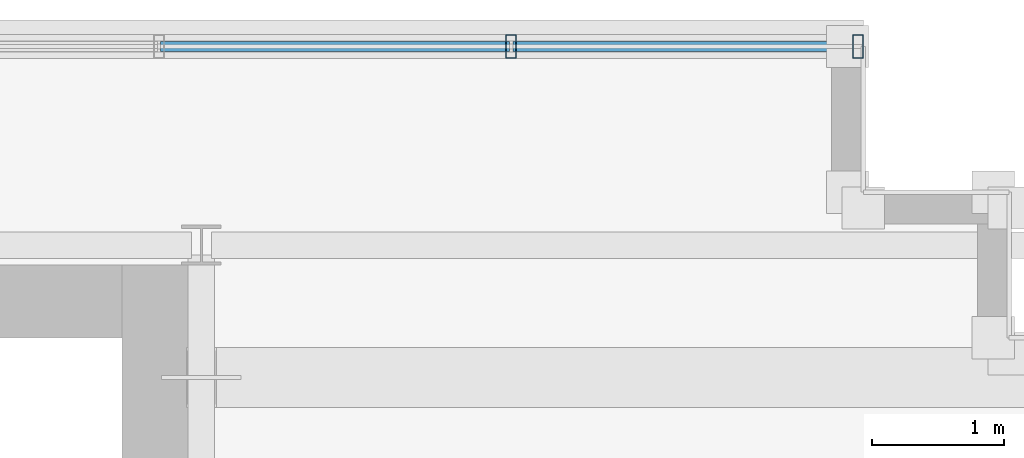
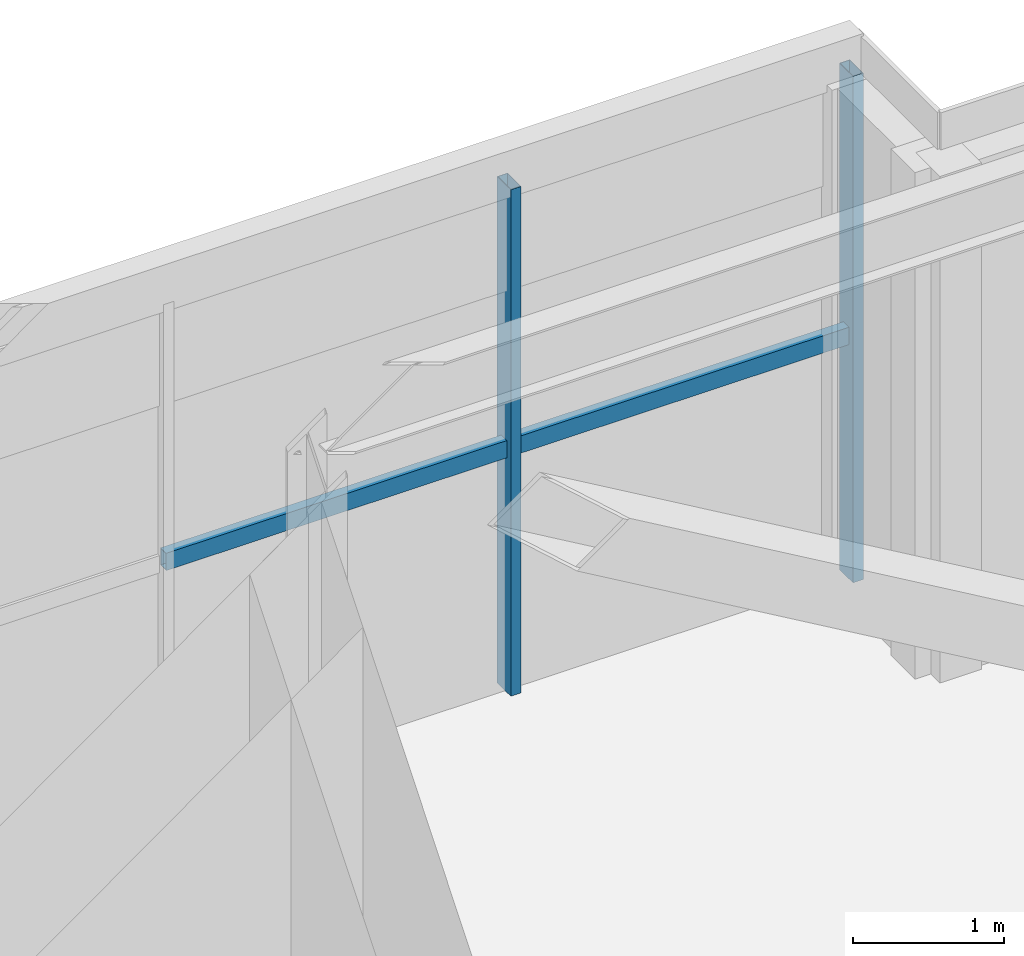
# One storey, part 26 of 37: 4 members, 1 element without a shape of its own.
"""IFC4 building model written with IfcOpenShell, lengths in metres."""

from ifc_helpers import new_model, si_unit, direction, frame, origin, origin_2d, place, context, subcontext, project, spatial, hollow_rectangle, extrude, source, transform, mapped, material, material_profile, profile_set, type_object, element, aggregate, save


model = new_model("IFC4")

# Units and contexts
model_context = context("Model", 3, precision=1e-05, world=origin(), true_north=direction((0.0, 1.0)))
body_context = subcontext(model_context, "Body", "Model", "MODEL_VIEW")
ifc_project = project(units=[si_unit("LENGTHUNIT", "METRE"), si_unit("AREAUNIT", "SQUARE_METRE"), si_unit("VOLUMEUNIT", "CUBIC_METRE"), si_unit("PLANEANGLEUNIT", "RADIAN"), si_unit("MASSUNIT", "GRAM", prefix="KILO")], contexts=[model_context])

# Site, building, storey
site_placement = place(None, origin())
site = spatial("IfcSite", under=ifc_project, at=site_placement, CompositionType="ELEMENT")
building_placement = place(site_placement, origin())
building = spatial("IfcBuilding", under=site, at=building_placement, Name="Trelvane Seafront Commons", CompositionType="ELEMENT")
storey_placement = place(building_placement, frame((0.0, 0.0, 303.5)))
storey = spatial("IfcBuildingStorey", under=building, at=storey_placement, Name="L79", CompositionType="ELEMENT", Elevation=303.5)

# Curtain wall, members
ifc_material = material(Name="Anodised pale-silver aluminium", Category="aluminium")
curtain_wall_type = type_object("IfcCurtainWallType", Name="ARCH-CW6-CROWN", PredefinedType="NOTDEFINED", material=ifc_material)
curtain_wall_placement = place(storey_placement, origin())
curtain_wall = element("IfcCurtainWall", 1, at=curtain_wall_placement, inside=storey, type_object=curtain_wall_type, Name="CW-L79-0129", PredefinedType="NOTDEFINED")
ifc_material_profile_1 = material_profile(ifc_material, hollow_rectangle(XDim=0.074951171875, YDim=0.139892578125, WallThickness=0.00390625, at=origin_2d()), Name="TRAN-75x140x4")
ifc_profile_set_1 = profile_set([ifc_material_profile_1], Name="Anodised pale-silver aluminium")
member_type_1 = type_object("IfcMemberType", Name="ARCH-CW-TRAN-140", PredefinedType="USERDEFINED", material=ifc_profile_set_1)
shared_shape_1 = source(origin(), body_context, "Body", "SweptSolid", [
    extrude(hollow_rectangle(XDim=0.074951171875, YDim=0.139892578125, WallThickness=0.00390625, at=origin_2d()), origin(), (0.0, 0.0, 1.0), 2.635986328125),
])
member_1_placement = place(storey_placement, frame((58.491943359375, 46.60009765625, 1.968017578125), z_axis=(1.0, 0.0, 0.0), x_axis=(0.0, 1.0, 0.0)))
member_1 = element("IfcMember", 2, at=member_1_placement, type_object=member_type_1, Name="CW-L79-0129-T18", ObjectType="TRANSOM", PredefinedType="USERDEFINED", context=body_context, shape_type="MappedRepresentation", body=[
    mapped(shared_shape_1, transform((0.0, 0.0, 0.0), x_axis=(1.0, 0.0, 0.0), y_axis=(0.0, 1.0, 0.0), z_axis=(0.0, 0.0, 1.0), scale=1.0)),
])
member_2_placement = place(storey_placement, frame((61.152099609375, 46.60009765625, 1.968017578125), z_axis=(1.0, 0.0, 0.0), x_axis=(0.0, 1.0, 0.0)))
member_2 = element("IfcMember", 3, at=member_2_placement, type_object=member_type_1, Name="CW-L79-0129-T19", ObjectType="TRANSOM", PredefinedType="USERDEFINED", context=body_context, shape_type="MappedRepresentation", body=[
    mapped(shared_shape_1, transform((0.0, 0.0, 0.0), x_axis=(1.0, 0.0, 0.0), y_axis=(0.0, 1.0, 0.0), z_axis=(0.0, 0.0, 1.0), scale=1.0)),
])
ifc_material_profile_2 = material_profile(ifc_material, hollow_rectangle(XDim=0.080078125, YDim=0.179931640625, WallThickness=0.00439453125, at=origin_2d()), Name="MULL-80x180x4.5")
ifc_profile_set_2 = profile_set([ifc_material_profile_2], Name="Anodised pale-silver aluminium")
member_type_2 = type_object("IfcMemberType", Name="ARCH-CW-MULL-180", PredefinedType="MULLION", material=ifc_profile_set_2)
shared_shape_2 = source(origin(), body_context, "Body", "SweptSolid", [
    extrude(hollow_rectangle(XDim=0.080078125, YDim=0.179931640625, WallThickness=0.00439453125, at=origin_2d()), origin(), (0.0, 0.0, 1.0), 4.10009765625),
])
member_3_placement = place(storey_placement, frame((61.139892578125, 46.60009765625, 0.0), z_axis=(0.0, 0.0, 1.0), x_axis=(1.0, 0.0, 0.0)))
member_3 = element("IfcMember", 4, at=member_3_placement, type_object=member_type_2, Name="CW-L79-0129-M19", PredefinedType="MULLION", context=body_context, shape_type="MappedRepresentation", body=[
    mapped(shared_shape_2, transform((0.0, 0.0, 0.0), x_axis=(1.0, 0.0, 0.0), y_axis=(0.0, 1.0, 0.0), z_axis=(0.0, 0.0, 1.0), scale=1.0)),
])
member_4_placement = place(storey_placement, frame((63.760009765625, 46.60009765625, 0.0), z_axis=(0.0, 0.0, 1.0), x_axis=(1.0, 0.0, 0.0)))
member_4 = element("IfcMember", 5, at=member_4_placement, type_object=member_type_2, Name="CW-L79-0129-M20", PredefinedType="MULLION", context=body_context, shape_type="MappedRepresentation", body=[
    mapped(shared_shape_2, transform((0.0, 0.0, 0.0), x_axis=(1.0, 0.0, 0.0), y_axis=(0.0, 1.0, 0.0), z_axis=(0.0, 0.0, 1.0), scale=1.0)),
])
aggregate(curtain_wall, [member_3, member_4, member_1, member_2])

save(model, "model.ifc")
